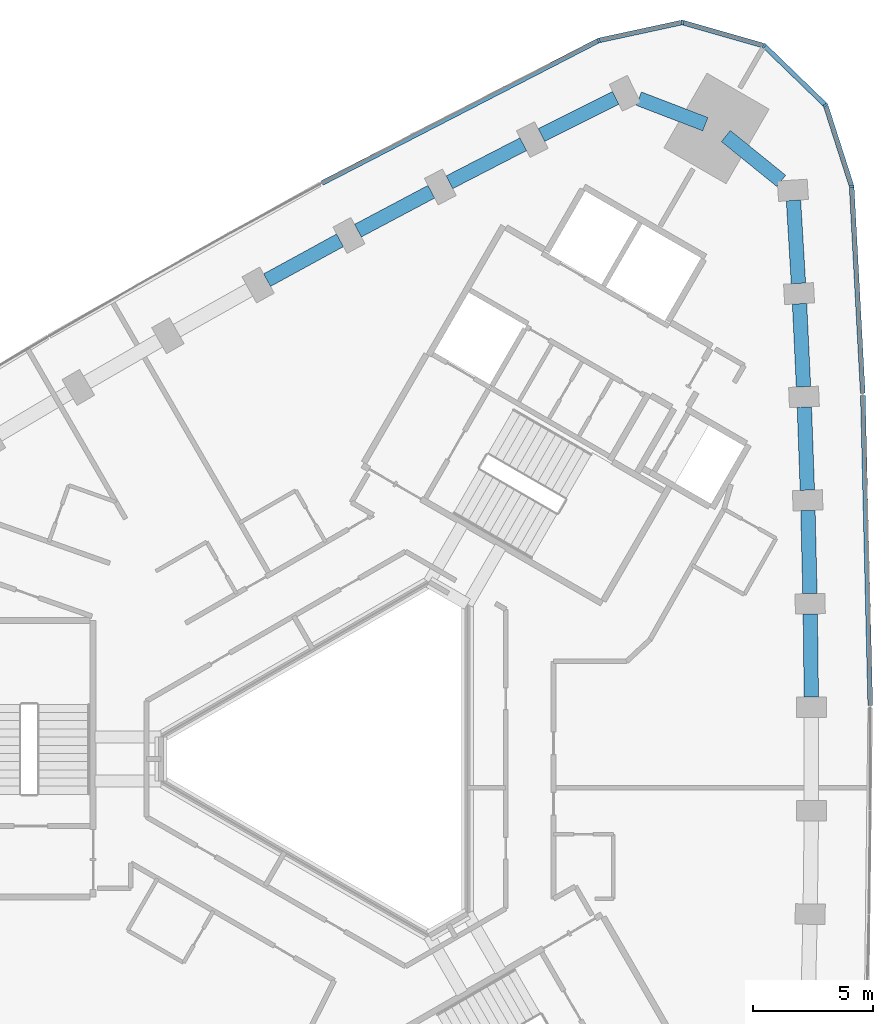
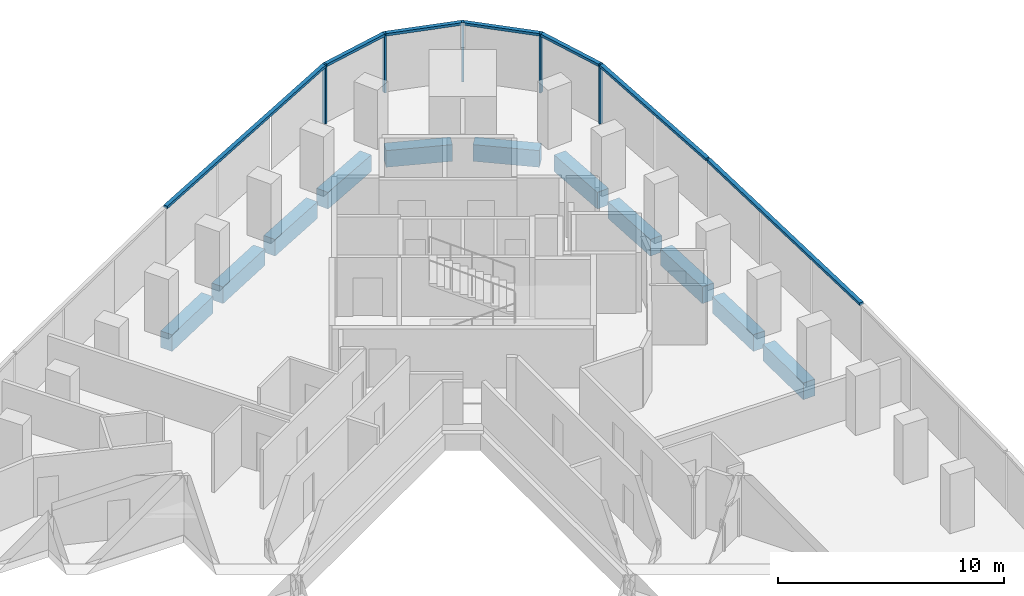
# One storey, part 5 of 12: 12 members, 11 beams, 2 elements without a shape of their own.
"""IFC4 building model written with IfcOpenShell, lengths in metres."""

import ifcopenshell
import ifcopenshell.guid

model = None  # the IFC model being written
_history = None  # IfcOwnerHistory: only IFC2X3 demands one
_inside = {}  # id of a spatial element -> (the spatial element, [elements in it])
_under = {}  # id of a project, library or spatial element -> (it, [spatial elements below it])
_declared = {}  # id of a project -> (the project, [libraries it declares])
_typed = {}  # id of a type object -> (the type object, [elements of that type])
_made_of = {}  # id of a material, layer set ... -> (it, [elements and type objects made of it])


def new_model(schema):
    """Start an empty IFC model of exactly this schema.

    Asked for "IFC4X3", IfcOpenShell would pick the latest addendum, in which some entities
    have other attributes; the version numbers below select the first issue.
    IFC2X3 requires an IfcOwnerHistory on every rooted entity: one is made here for all.
    """
    global model, _history
    if schema == "IFC4X3":
        model = ifcopenshell.file(schema_version=(4, 3, 0, 0))
    else:
        model = ifcopenshell.file(schema=schema)
    _inside.clear()
    _under.clear()
    _declared.clear()
    _typed.clear()
    _made_of.clear()
    _history = None
    if model.schema == "IFC2X3":
        org = make("IfcOrganization", Name="unknown")
        user = make(
            "IfcPersonAndOrganization",
            ThePerson=make("IfcPerson", FamilyName="unknown"),
            TheOrganization=org,
        )
        app = make(
            "IfcApplication",
            ApplicationDeveloper=org,
            Version="unknown",
            ApplicationFullName="unknown",
            ApplicationIdentifier="unknown",
        )
        _history = make(
            "IfcOwnerHistory",
            OwningUser=user,
            OwningApplication=app,
            ChangeAction="ADDED",
            CreationDate=0,
        )
    return model


def make(cls, **values):
    """One entity of the class cls with the attributes given. An attribute that is None is left unset."""
    return model.create_entity(
        cls, **{name: value for name, value in values.items() if value is not None}
    )


def rooted(cls, **values):
    """An entity with a GlobalId (a new one), such as an element, a storey or a relation."""
    return make(cls, GlobalId=ifcopenshell.guid.new(), OwnerHistory=_history, **values)


def si_unit(unit_type, name, prefix=None):
    """IfcSIUnit, for example si_unit("LENGTHUNIT", "METRE", prefix="MILLI")."""
    return make("IfcSIUnit", UnitType=unit_type, Prefix=prefix, Name=name)


def assignment(units):
    """IfcUnitAssignment: the units of a project."""
    return None if units is None else make("IfcUnitAssignment", Units=units)


def point(xyz):
    """IfcCartesianPoint."""
    return None if xyz is None else make("IfcCartesianPoint", Coordinates=xyz)


def direction(xyz):
    """IfcDirection."""
    return None if xyz is None else make("IfcDirection", DirectionRatios=xyz)


def frame(location, z_axis=None, x_axis=None):
    """IfcAxis2Placement3D, a coordinate frame: its origin and axes. An axis left out is left unset."""
    return make(
        "IfcAxis2Placement3D",
        Location=point(location),
        Axis=direction(z_axis),
        RefDirection=direction(x_axis),
    )


def frame_2d(location, x_axis=None):
    """IfcAxis2Placement2D, a coordinate frame in the plane: its origin and x axis."""
    return make(
        "IfcAxis2Placement2D", Location=point(location), RefDirection=direction(x_axis)
    )


def origin():
    """The frame at (0, 0, 0) with its axes left unset."""
    return frame((0.0, 0.0, 0.0))


def origin_2d():
    """The frame at (0, 0) in the plane with its x axis left unset."""
    return frame_2d((0.0, 0.0))


def place(relative_to, where):
    """IfcLocalPlacement: puts the frame where relative to a parent placement (None: the world)."""
    return make(
        "IfcLocalPlacement", PlacementRelTo=relative_to, RelativePlacement=where
    )


def context(
    kind, dimensions, precision=None, world=None, true_north=None, identifier=None
):
    """IfcGeometricRepresentationContext, for example the 3D "Model" context."""
    return make(
        "IfcGeometricRepresentationContext",
        ContextIdentifier=identifier,
        ContextType=kind,
        CoordinateSpaceDimension=dimensions,
        Precision=precision,
        WorldCoordinateSystem=world,
        TrueNorth=true_north,
    )


def subcontext(parent, identifier, kind, view, scale=None):
    """IfcGeometricRepresentationSubContext, for example "Body" below "Model"."""
    return make(
        "IfcGeometricRepresentationSubContext",
        ContextIdentifier=identifier,
        ContextType=kind,
        ParentContext=parent,
        TargetScale=scale,
        TargetView=view,
    )


def project(units=None, contexts=None):
    """IfcProject with its units and contexts."""
    return rooted(
        "IfcProject",
        Name="project",
        RepresentationContexts=contexts,
        UnitsInContext=assignment(units),
    )


def spatial(cls, under=None, at=None, **own):
    """A site, building, storey or space (cls), placed at a placement, below another one or the project."""
    s = rooted(cls, ObjectPlacement=at, **own)
    if under is not None:
        _under.setdefault(under.id(), (under, []))[1].append(s)
    return s


def profile(cls, at=None, kind="AREA", **sizes):
    """A parametric profile (cls). Its sizes go by their IFC names, for example OverallWidth=200.0."""
    return make(cls, ProfileType=kind, Position=at, **sizes)


def rectangle(**sizes):
    """IfcRectangleProfileDef."""
    return profile("IfcRectangleProfileDef", **sizes)


def extrude(swept, where, along, depth):
    """IfcExtrudedAreaSolid: the profile swept, set in the frame where, extruded along a direction by depth."""
    return make(
        "IfcExtrudedAreaSolid",
        SweptArea=swept,
        Position=where,
        ExtrudedDirection=direction(along),
        Depth=depth,
    )


def shape(context_of_items, identifier, shape_type, items):
    """IfcShapeRepresentation: the items that make up one representation, for example the "Body"."""
    return make(
        "IfcShapeRepresentation",
        ContextOfItems=context_of_items,
        RepresentationIdentifier=identifier,
        RepresentationType=shape_type,
        Items=items,
    )


def material(Name=None, Category=None):
    """IfcMaterial."""
    return make("IfcMaterial", Name=Name, Category=Category)


def material_profile(
    of_material, cross_section, Name=None, Category=None, Priority=None
):
    """IfcMaterialProfile: a cross section and its material."""
    return make(
        "IfcMaterialProfile",
        Name=Name,
        Material=of_material,
        Profile=cross_section,
        Priority=Priority,
        Category=Category,
    )


def profile_set(profiles, Name=None, composite=None):
    """IfcMaterialProfileSet."""
    return make(
        "IfcMaterialProfileSet",
        Name=Name,
        MaterialProfiles=profiles,
        CompositeProfile=composite,
    )


def made_of(thing, what):
    """Note that an element or type object is made of a material, layer set ...; save() writes the relation."""
    if what is not None:
        _made_of.setdefault(what.id(), (what, []))[1].append(thing)
    return thing


def type_object(cls, material=None, **own):
    """A type object (cls), such as IfcWallType, which elements share."""
    return made_of(rooted(cls, **own), material)


def element(
    cls,
    number,
    at=None,
    inside=None,
    cuts=None,
    type_object=None,
    material=None,
    context=None,
    identifier="Body",
    shape_type=None,
    held_by="IfcProductDefinitionShape",
    body=None,
    shapes=None,
    **own,
):
    """One element of the class cls, such as IfcWall. Its Tag is "e" and its number.

    at: its placement. inside: the storey or other place that contains it. cuts: it is an
    opening in that element (IfcRelVoidsElement). A single representation is given by context,
    identifier, shape_type and body (its items); several are given by shapes. held_by: the class
    of the entity that holds the representations. save() writes the other relations.
    """
    e = rooted(cls, Tag="e%d" % number, ObjectPlacement=at, **own)
    if body is not None:
        shapes = [shape(context, identifier, shape_type, body)]
    if shapes is not None:
        e.Representation = make(held_by, Representations=shapes)
    if inside is not None:
        _inside.setdefault(inside.id(), (inside, []))[1].append(e)
    if cuts is not None:
        rooted(
            "IfcRelVoidsElement", RelatingBuildingElement=cuts, RelatedOpeningElement=e
        )
    if type_object is not None:
        _typed.setdefault(type_object.id(), (type_object, []))[1].append(e)
    return made_of(e, material)


def aggregate(whole, parts):
    """IfcRelAggregates: a whole, such as a stair, and the parts it consists of."""
    return rooted("IfcRelAggregates", RelatingObject=whole, RelatedObjects=parts)


def save(model, path):
    """Write the relations noted so far, then the file.

    IfcRelAggregates (storeys below a building ...), IfcRelContainedInSpatialStructure (elements
    in a storey), IfcRelDefinesByType, IfcRelAssociatesMaterial and IfcRelDeclares: one each for
    every whole, place, type object, material and project.
    """
    for whole, parts in _under.values():
        aggregate(whole, parts)
    for where, things in _inside.values():
        rooted(
            "IfcRelContainedInSpatialStructure",
            RelatedElements=things,
            RelatingStructure=where,
        )
    for kind, things in _typed.values():
        rooted("IfcRelDefinesByType", RelatedObjects=things, RelatingType=kind)
    for what, things in _made_of.values():
        rooted("IfcRelAssociatesMaterial", RelatedObjects=things, RelatingMaterial=what)
    for by, libraries in _declared.values():
        rooted("IfcRelDeclares", RelatingContext=by, RelatedDefinitions=libraries)
    model.write(path)


model = new_model("IFC4")

# Units and contexts
model_context = context("Model", 3, precision=1e-05, world=origin(), true_north=direction((0.0, 1.0)))
body_context = subcontext(model_context, "Body", "Model", "MODEL_VIEW")
ifc_project = project(units=[si_unit("LENGTHUNIT", "METRE"), si_unit("AREAUNIT", "SQUARE_METRE"), si_unit("VOLUMEUNIT", "CUBIC_METRE"), si_unit("PLANEANGLEUNIT", "RADIAN"), si_unit("MASSUNIT", "GRAM", prefix="KILO")], contexts=[model_context])

# Site, building, storey
site_placement = place(None, origin())
site = spatial("IfcSite", under=ifc_project, at=site_placement, CompositionType="ELEMENT")
building_placement = place(site_placement, origin())
building = spatial("IfcBuilding", under=site, at=building_placement, Name="Tamra Quay Hotel Tower", CompositionType="ELEMENT")
storey_placement = place(building_placement, frame((0.0, 0.0, 154.0)))
storey = spatial("IfcBuildingStorey", under=building, at=storey_placement, Name="L38", CompositionType="ELEMENT", Elevation=154.0)

# Curtain wall, members
ifc_material_1 = material(Name="Aluminium 6063 anodised dark grey", Category="aluminium")
curtain_wall_type_1 = type_object("IfcCurtainWallType", Name="CW1 CURTAIN WALL", PredefinedType="NOTDEFINED", material=ifc_material_1)
curtain_wall_1_placement = place(storey_placement, origin())
curtain_wall_1 = element("IfcCurtainWall", 1, at=curtain_wall_1_placement, inside=storey, type_object=curtain_wall_type_1, Name="CW1 east face L38", PredefinedType="NOTDEFINED")
ifc_material_profile_1 = material_profile(ifc_material_1, rectangle(XDim=0.199951171875, YDim=0.10009765625, at=origin_2d()), Name="MULLION 100X200")
ifc_profile_set_1 = profile_set([ifc_material_profile_1], Name="Aluminium 6063 anodised dark grey")
member_type_1 = type_object("IfcMemberType", Name="MULLION CW1 Z3", PredefinedType="MULLION", material=ifc_profile_set_1)
member_1_placement = place(storey_placement, frame((20.852294921875, 23.918212890625, 0.0), z_axis=(0.0, 0.0, 1.0), x_axis=(0.982883217826, 0.184229693905, 0.0)))
member_1 = element("IfcMember", 2, at=member_1_placement, type_object=member_type_1, Name="CW1 mullion L38.E.12", PredefinedType="MULLION", context=body_context, shape_type="SweptSolid", body=[
    extrude(rectangle(XDim=0.199951171875, YDim=0.10009765625, at=origin_2d()), origin(), (0.0, 0.0, 1.0), 3.199951171875),
])
member_2_placement = place(storey_placement, frame((19.76171875, 27.312255859375, 0.0), z_axis=(0.0, 0.0, 1.0), x_axis=(0.849197833806, 0.52807484229, 0.0)))
member_2 = element("IfcMember", 3, at=member_2_placement, type_object=member_type_1, Name="CW1 mullion L38.E.13", PredefinedType="MULLION", context=body_context, shape_type="SweptSolid", body=[
    extrude(rectangle(XDim=0.199951171875, YDim=0.10009765625, at=origin_2d()), origin(), (0.0, 0.0, 1.0), 3.199951171875),
])
member_3_placement = place(storey_placement, frame((17.199951171875, 29.791259765625, 0.0), z_axis=(0.0, 0.0, 1.0), x_axis=(0.5, 0.866025403784, 0.0)))
member_3 = element("IfcMember", 4, at=member_3_placement, type_object=member_type_1, Name="CW1 mullion L38.E.14", PredefinedType="MULLION", context=body_context, shape_type="SweptSolid", body=[
    extrude(rectangle(XDim=0.199951171875, YDim=0.10009765625, at=origin_2d()), origin(), (0.0, 0.0, 1.0), 3.199951171875),
])
member_4_placement = place(storey_placement, frame((13.772216796875, 30.770263671875, 0.0), z_axis=(0.0, 0.0, 1.0), x_axis=(0.032727311619, 0.99946431806, 0.0)))
member_4 = element("IfcMember", 5, at=member_4_placement, type_object=member_type_1, Name="CW1 mullion L38.E.15", PredefinedType="MULLION", context=body_context, shape_type="SweptSolid", body=[
    extrude(rectangle(XDim=0.199951171875, YDim=0.10009765625, at=origin_2d()), origin(), (0.0, 0.0, 1.0), 3.199951171875),
])

# Curtain wall, member
curtain_wall_type_2 = type_object("IfcCurtainWallType", Name="CW2 CURTAIN WALL", PredefinedType="NOTDEFINED", material=ifc_material_1)
curtain_wall_2_placement = place(storey_placement, origin())
curtain_wall_2 = element("IfcCurtainWall", 6, at=curtain_wall_2_placement, inside=storey, type_object=curtain_wall_type_2, Name="CW2 north-west face L38", PredefinedType="NOTDEFINED")
ifc_material_profile_2 = material_profile(ifc_material_1, rectangle(XDim=0.199951171875, YDim=0.10009765625, at=origin_2d()), Name="MULLION 100X200")
ifc_profile_set_2 = profile_set([ifc_material_profile_2], Name="Aluminium 6063 anodised dark grey")
member_type_2 = type_object("IfcMemberType", Name="MULLION CW2 Z3", PredefinedType="MULLION", material=ifc_profile_set_2)
member_5_placement = place(storey_placement, frame((10.28759765625, 30.017578125, 0.0), z_axis=(0.0, 0.0, 1.0), x_axis=(-0.33189401386, 0.943316682543, 0.0)))
member_5 = element("IfcMember", 7, at=member_5_placement, type_object=member_type_2, Name="CW2 mullion L38.NW.1", PredefinedType="MULLION", context=body_context, shape_type="SweptSolid", body=[
    extrude(rectangle(XDim=0.199951171875, YDim=0.10009765625, at=origin_2d()), origin(), (0.0, 0.0, 1.0), 3.199951171875),
])

# Beams
ifc_material_2 = material(Name="Concrete M60", Category="concrete")
ifc_material_profile_3 = material_profile(ifc_material_2, rectangle(XDim=0.60009765625, YDim=0.89990234375, at=origin_2d()), Name="SPANDREL BEAM RC 600x900")
ifc_profile_set_3 = profile_set([ifc_material_profile_3], Name="Concrete M60")
beam_type = type_object("IfcBeamType", Name="SPANDREL BEAM RC 600x900", PredefinedType="SPANDREL", material=ifc_profile_set_3)
beam_1_placement = place(storey_placement, frame((19.165771484375, 2.586181640625, -0.85009765625), z_axis=(-0.011951617666, 0.999928576867, 0.0), x_axis=(-0.999928576867, -0.011951617666, 0.0)))
element("IfcBeam", 8, at=beam_1_placement, inside=storey, type_object=beam_type, Name="BM-SP3-006-L38", PredefinedType="SPANDREL", context=body_context, shape_type="SweptSolid", body=[
    extrude(rectangle(XDim=0.60009765625, YDim=0.89990234375, at=origin_2d()), origin(), (0.0, 0.0, 1.0), 3.47265625),
])
beam_2_placement = place(storey_placement, frame((19.10888671875, 6.90869140625, -0.85009765625), z_axis=(-0.023906514803, 0.999714198434, 0.0), x_axis=(-0.999714198434, -0.023906514803, 0.0)))
element("IfcBeam", 9, at=beam_2_placement, inside=storey, type_object=beam_type, Name="BM-SP3-007-L38", PredefinedType="SPANDREL", context=body_context, shape_type="SweptSolid", body=[
    extrude(rectangle(XDim=0.60009765625, YDim=0.89990234375, at=origin_2d()), origin(), (0.0, 0.0, 1.0), 3.47216796875),
])
beam_3_placement = place(storey_placement, frame((19.00048828125, 11.2294921875, -0.85009765625), z_axis=(-0.035786826945, 0.999359446354, 0.0), x_axis=(-0.999359446354, -0.035786826945, 0.0)))
element("IfcBeam", 10, at=beam_3_placement, inside=storey, type_object=beam_type, Name="BM-SP3-008-L38", PredefinedType="SPANDREL", context=body_context, shape_type="SweptSolid", body=[
    extrude(rectangle(XDim=0.60009765625, YDim=0.89990234375, at=origin_2d()), origin(), (0.0, 0.0, 1.0), 3.472412109375),
])
beam_4_placement = place(storey_placement, frame((18.840576171875, 15.548828125, -0.85009765625), z_axis=(-0.047732145575, 0.998860171535, 0.0), x_axis=(-0.998860171535, -0.047732145575, 0.0)))
element("IfcBeam", 11, at=beam_4_placement, inside=storey, type_object=beam_type, Name="BM-SP3-009-L38", PredefinedType="SPANDREL", context=body_context, shape_type="SweptSolid", body=[
    extrude(rectangle(XDim=0.60009765625, YDim=0.89990234375, at=origin_2d()), origin(), (0.0, 0.0, 1.0), 3.472900390625),
])
beam_5_placement = place(storey_placement, frame((18.629150390625, 19.86669921875, -0.85009765625), z_axis=(-0.059620475238, 0.998221117254, 0.0), x_axis=(-0.998221117254, -0.059620475238, 0.0)))
element("IfcBeam", 12, at=beam_5_placement, inside=storey, type_object=beam_type, Name="BM-SP3-010-L38", PredefinedType="SPANDREL", context=body_context, shape_type="SweptSolid", body=[
    extrude(rectangle(XDim=0.60009765625, YDim=0.89990234375, at=origin_2d()), origin(), (0.0, 0.0, 1.0), 3.472412109375),
])
beam_6_placement = place(storey_placement, frame((17.909912109375, 24.151123046875, -0.85009765625), z_axis=(-0.777183767602, 0.629273701482, 0.0), x_axis=(-0.629273701482, -0.777183767602, 0.0)))
element("IfcBeam", 13, at=beam_6_placement, inside=storey, type_object=beam_type, Name="BM-SP3-011-L38", PredefinedType="SPANDREL", context=body_context, shape_type="SweptSolid", body=[
    extrude(rectangle(XDim=0.60009765625, YDim=0.89990234375, at=origin_2d()), origin(), (0.0, 0.0, 1.0), 2.977783203125),
])
beam_7_placement = place(storey_placement, frame((14.74072265625, 26.5185546875, -0.85009765625), z_axis=(-0.933527198951, 0.358506581278, 0.0), x_axis=(-0.358506581278, -0.933527198951, 0.0)))
element("IfcBeam", 14, at=beam_7_placement, inside=storey, type_object=beam_type, Name="BM-SP3-012-L38", PredefinedType="SPANDREL", context=body_context, shape_type="SweptSolid", body=[
    extrude(rectangle(XDim=0.60009765625, YDim=0.89990234375, at=origin_2d()), origin(), (0.0, 0.0, 1.0), 2.97802734375),
])
beam_8_placement = place(storey_placement, frame((10.995849609375, 27.620361328125, -0.85009765625), z_axis=(-0.894314670292, -0.447438566174, 0.0), x_axis=(0.447438566174, -0.894314670292, 0.0)))
element("IfcBeam", 15, at=beam_8_placement, inside=storey, type_object=beam_type, Name="BM-SP3-013-L38", PredefinedType="SPANDREL", context=body_context, shape_type="SweptSolid", body=[
    extrude(rectangle(XDim=0.60009765625, YDim=0.89990234375, at=origin_2d()), origin(), (0.0, 0.0, 1.0), 3.472412109375),
])
beam_9_placement = place(storey_placement, frame((7.132568359375, 25.681640625, -0.85009765625), z_axis=(-0.888919913451, -0.458062645792, 0.0), x_axis=(0.458062645792, -0.888919913451, 0.0)))
element("IfcBeam", 16, at=beam_9_placement, inside=storey, type_object=beam_type, Name="BM-SP3-014-L38", PredefinedType="SPANDREL", context=body_context, shape_type="SweptSolid", body=[
    extrude(rectangle(XDim=0.60009765625, YDim=0.89990234375, at=origin_2d()), origin(), (0.0, 0.0, 1.0), 3.472900390625),
])
for number, where, z_axis, x_axis, name in (
    (17, (3.292236328125, 23.697021484375, -0.85009765625), (-0.883411391477, -0.468598243071, 0.0), (0.468598243071, -0.883411391477, 0.0), "BM-SP3-015-L38"),
    (18, (-0.523681640625, 21.6669921875, -0.85009765625), (-0.877731617539, -0.479152593202, 0.0), (0.479152593202, -0.877731617539, 0.0), "BM-SP3-016-L38"),
):
    element("IfcBeam", number, at=place(storey_placement, frame(where, z_axis=z_axis, x_axis=x_axis)), inside=storey, type_object=beam_type, Name=name, PredefinedType="SPANDREL", context=body_context, shape_type="SweptSolid", body=[
        extrude(rectangle(XDim=0.60009765625, YDim=0.89990234375, at=origin_2d()), origin(), (0.0, 0.0, 1.0), 3.472412109375),
    ])

# Member
ifc_material_profile_4 = material_profile(ifc_material_1, rectangle(XDim=0.199951171875, YDim=0.139892578125, at=origin_2d()), Name="TRANSOM 200X140")
ifc_profile_set_4 = profile_set([ifc_material_profile_4], Name="Aluminium 6063 anodised dark grey")
member_type_3 = type_object("IfcMemberType", Name="TRANSOM CW1 Z3", PredefinedType="USERDEFINED", material=ifc_profile_set_4)
member_6_placement = place(storey_placement, frame((21.630859375, 2.226318359375, 3.1298828125), z_axis=(-0.023894704372, 0.999714480791, 0.0), x_axis=(-0.999714480791, -0.023894704372, 0.0)))
member_6 = element("IfcMember", 19, at=member_6_placement, type_object=member_type_3, Name="CW1 transom L38.E.7", ObjectType="TRANSOM", PredefinedType="USERDEFINED", context=body_context, shape_type="SweptSolid", body=[
    extrude(rectangle(XDim=0.199951171875, YDim=0.139892578125, at=origin_2d()), origin(), (0.0, 0.0, 1.0), 12.95556640625),
])

member_7_placement = place(storey_placement, frame((21.317138671875, 15.278076171875, 3.1298828125), z_axis=(-0.053693818243, 0.998557446461, 0.0), x_axis=(-0.998557446461, -0.053693818243, 0.0)))
member_7 = element("IfcMember", 20, at=member_7_placement, type_object=member_type_3, Name="CW1 transom L38.E.10", ObjectType="TRANSOM", PredefinedType="USERDEFINED", context=body_context, shape_type="SweptSolid", body=[
    extrude(rectangle(XDim=0.199951171875, YDim=0.139892578125, at=origin_2d()), origin(), (0.0, 0.0, 1.0), 8.602783203125),
])

member_8_placement = place(storey_placement, frame((20.8369140625, 23.9658203125, 3.1298828125), z_axis=(-0.305936194626, 0.952052017916, 0.0), x_axis=(-0.952052017916, -0.305936194626, 0.0)))
member_8 = element("IfcMember", 21, at=member_8_placement, type_object=member_type_3, Name="CW1 transom L38.E.12", ObjectType="TRANSOM", PredefinedType="USERDEFINED", context=body_context, shape_type="SweptSolid", body=[
    extrude(rectangle(XDim=0.199951171875, YDim=0.139892578125, at=origin_2d()), origin(), (0.0, 0.0, 1.0), 3.465087890625),
])

member_9_placement = place(storey_placement, frame((19.725830078125, 27.346923828125, 3.1298828125), z_axis=(-0.718602141767, 0.695421427516, 0.0), x_axis=(-0.695421427516, -0.718602141767, 0.0)))
member_9 = element("IfcMember", 22, at=member_9_placement, type_object=member_type_3, Name="CW1 transom L38.E.13", ObjectType="TRANSOM", PredefinedType="USERDEFINED", context=body_context, shape_type="SweptSolid", body=[
    extrude(rectangle(XDim=0.199951171875, YDim=0.139892578125, at=origin_2d()), origin(), (0.0, 0.0, 1.0), 3.465087890625),
])

member_10_placement = place(storey_placement, frame((17.15185546875, 29.804931640625, 3.1298828125), z_axis=(-0.961558507518, 0.274600139513, 0.0), x_axis=(-0.274600139513, -0.961558507518, 0.0)))
member_10 = element("IfcMember", 23, at=member_10_placement, type_object=member_type_3, Name="CW1 transom L38.E.14", ObjectType="TRANSOM", PredefinedType="USERDEFINED", context=body_context, shape_type="SweptSolid", body=[
    extrude(rectangle(XDim=0.199951171875, YDim=0.139892578125, at=origin_2d()), origin(), (0.0, 0.0, 1.0), 3.46484375),
])

member_11_placement = place(storey_placement, frame((13.723388671875, 30.759521484375, 3.1298828125), z_axis=(-0.977466057655, -0.211092648218, 0.0), x_axis=(0.211092648218, -0.977466057655, 0.0)))
member_11 = element("IfcMember", 24, at=member_11_placement, type_object=member_type_3, Name="CW1 transom L38.E.15", ObjectType="TRANSOM", PredefinedType="USERDEFINED", context=body_context, shape_type="SweptSolid", body=[
    extrude(rectangle(XDim=0.199951171875, YDim=0.139892578125, at=origin_2d()), origin(), (0.0, 0.0, 1.0), 3.465087890625),
])

aggregate(curtain_wall_1, [member_6, member_7, member_1, member_8, member_2, member_9, member_3, member_10, member_4, member_11])

ifc_material_profile_5 = material_profile(ifc_material_1, rectangle(XDim=0.199951171875, YDim=0.139892578125, at=origin_2d()), Name="TRANSOM 200X140")
ifc_profile_set_5 = profile_set([ifc_material_profile_5], Name="Aluminium 6063 anodised dark grey")
member_type_4 = type_object("IfcMemberType", Name="TRANSOM CW2 Z3", PredefinedType="USERDEFINED", material=ifc_profile_set_5)
member_12_placement = place(storey_placement, frame((10.242919921875, 29.995361328125, 3.1298828125), z_axis=(-0.888910612122, -0.458080695574, 0.0), x_axis=(0.458080695574, -0.888910612122, 0.0)))
member_12 = element("IfcMember", 25, at=member_12_placement, type_object=member_type_4, Name="CW2 transom L38.NW.1", ObjectType="TRANSOM", PredefinedType="USERDEFINED", context=body_context, shape_type="SweptSolid", body=[
    extrude(rectangle(XDim=0.199951171875, YDim=0.139892578125, at=origin_2d()), origin(), (0.0, 0.0, 1.0), 12.954833984375),
])

aggregate(curtain_wall_2, [member_5, member_12])

save(model, "model.ifc")
